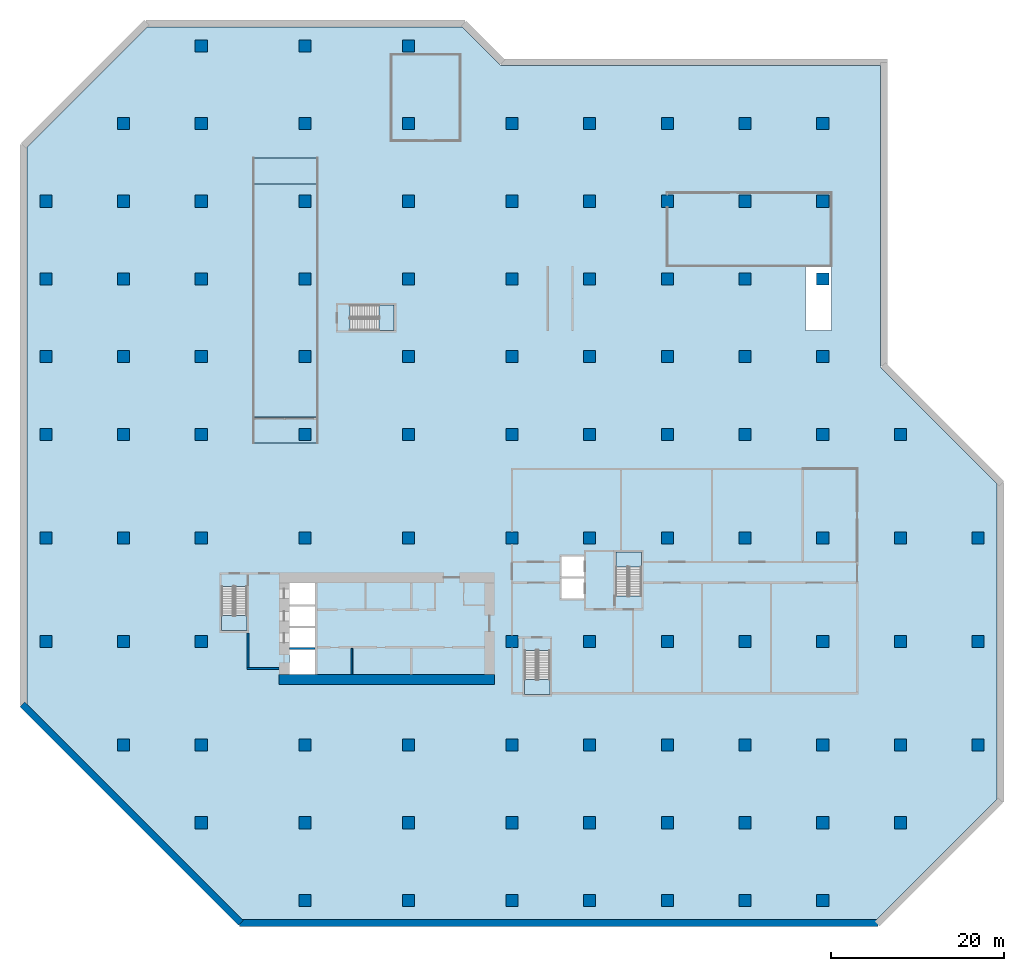
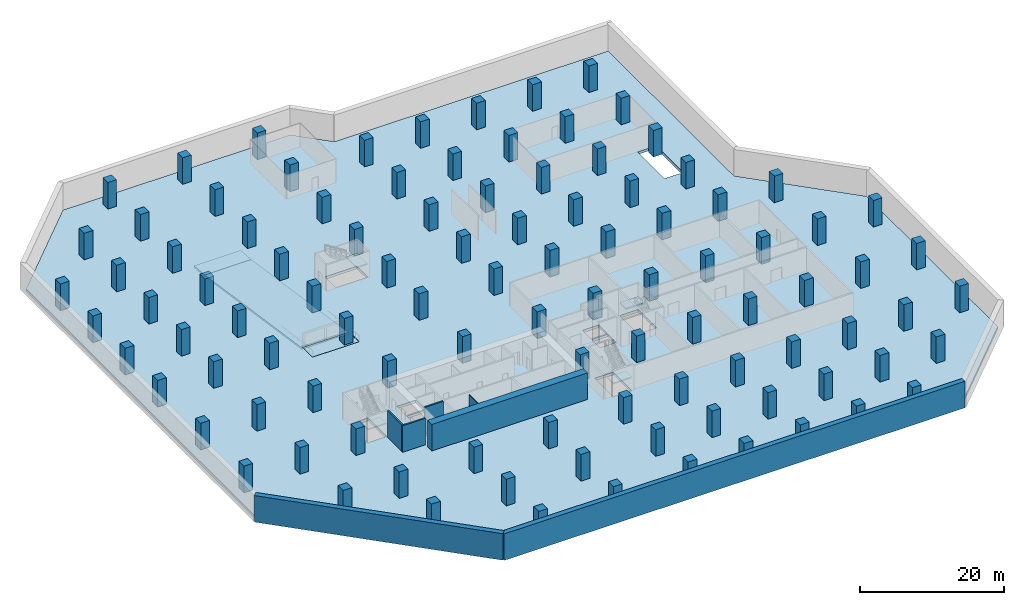
# One storey, part 1 of 10: 102 columns, 8 slabs, 7 walls, 4 elements without a shape of their own.
"""IFC4 building model written with IfcOpenShell, lengths in metres."""

from ifc_helpers import new_model, si_unit, direction, frame, frame_2d, origin, origin_2d, place, context, subcontext, project, spatial, polyline, rectangle, outline, extrude, material, layer, layer_set, material_profile, profile_set, type_object, element, aggregate, save


model = new_model("IFC4")

# Units and contexts
model_context = context("Model", 3, precision=1e-05, world=origin(), true_north=direction((0.0, 1.0)))
body_context = subcontext(model_context, "Body", "Model", "MODEL_VIEW")
ifc_project = project(units=[si_unit("LENGTHUNIT", "METRE"), si_unit("AREAUNIT", "SQUARE_METRE"), si_unit("VOLUMEUNIT", "CUBIC_METRE"), si_unit("PLANEANGLEUNIT", "RADIAN"), si_unit("MASSUNIT", "GRAM", prefix="KILO")], contexts=[model_context])

# Site, building, storey
site_placement = place(None, origin())
site = spatial("IfcSite", under=ifc_project, at=site_placement, CompositionType="ELEMENT")
building_placement = place(site_placement, origin())
building = spatial("IfcBuilding", under=site, at=building_placement, Name="Chenar Terraces", CompositionType="ELEMENT")
storey_placement = place(building_placement, frame((0.0, 0.0, -9.0)))
storey = spatial("IfcBuildingStorey", under=building, at=storey_placement, Name="B2", CompositionType="ELEMENT", Elevation=-9.0)

# Columns
ifc_material_1 = material(Name="Concrete C60/75", Category="concrete")
ifc_material_profile = material_profile(ifc_material_1, rectangle(XDim=1.39990234375, YDim=1.39990234375, at=origin_2d()), Name="C 1400 x 1400")
ifc_profile_set = profile_set([ifc_material_profile], Name="Concrete C60/75")
column_type = type_object("IfcColumnType", Name="Column C 1400 x 1400 Concrete C60/75", PredefinedType="COLUMN", material=ifc_profile_set)
for number, where, z_axis, x_axis, name in (
    (1, (-18.0, 12.0, 0.0), (0.0, 0.0, 1.0), (1.0, 0.0, 0.0), "Column 3/F B2"),
    (2, (-18.0, 24.0, 0.0), (0.0, 0.0, 1.0), (1.0, 0.0, 0.0), "Column 3/G B2"),
    (3, (-18.0, 36.0, 0.0), (0.0, 0.0, 1.0), (1.0, 0.0, 0.0), "Column 3/H B2"),
    (4, (-18.0, 45.0, 0.0), (0.0, 0.0, 1.0), (1.0, 0.0, 0.0), "Column 3/J B2"),
    (5, (-18.0, 54.0, 0.0), (0.0, 0.0, 1.0), (1.0, 0.0, 0.0), "Column 3/K B2"),
    (6, (-18.0, 63.0, 0.0), (0.0, 0.0, 1.0), (1.0, 0.0, 0.0), "Column 3/L B2"),
    (7, (-9.0, 0.0, 0.0), (0.0, 0.0, 1.0), (1.0, 0.0, 0.0), "Column 4/E B2"),
    (8, (-9.0, 12.0, 0.0), (0.0, 0.0, 1.0), (1.0, 0.0, 0.0), "Column 4/F B2"),
    (9, (-9.0, 24.0, 0.0), (0.0, 0.0, 1.0), (1.0, 0.0, 0.0), "Column 4/G B2"),
    (10, (-9.0, 36.0, 0.0), (0.0, 0.0, 1.0), (1.0, 0.0, 0.0), "Column 4/H B2"),
    (11, (-9.0, 45.0, 0.0), (0.0, 0.0, 1.0), (1.0, 0.0, 0.0), "Column 4/J B2"),
    (12, (-9.0, 54.0, 0.0), (0.0, 0.0, 1.0), (1.0, 0.0, 0.0), "Column 4/K B2"),
    (13, (-9.0, 63.0, 0.0), (0.0, 0.0, 1.0), (1.0, 0.0, 0.0), "Column 4/L B2"),
    (14, (-9.0, 72.0, 0.0), (0.0, 0.0, 1.0), (1.0, 0.0, 0.0), "Column 4/M B2"),
    (15, (0.0, -9.0, 0.0), (0.0, 0.0, 1.0), (1.0, 0.0, 0.0), "Column 5/D B2"),
    (16, (0.0, 0.0, 0.0), (0.0, 0.0, 1.0), (1.0, 0.0, 0.0), "Column 5/E B2"),
    (17, (0.0, 12.0, 0.0), (0.0, 0.0, 1.0), (1.0, 0.0, 0.0), "Column 5/F B2"),
    (18, (0.0, 24.0, 0.0), (0.0, 0.0, 1.0), (1.0, 0.0, 0.0), "Column 5/G B2"),
    (19, (0.0, 36.0, 0.0), (0.0, 0.0, 1.0), (1.0, 0.0, 0.0), "Column 5/H B2"),
    (20, (0.0, 45.0, 0.0), (0.0, 0.0, 1.0), (1.0, 0.0, 0.0), "Column 5/J B2"),
    (21, (0.0, 54.0, 0.0), (0.0, 0.0, 1.0), (1.0, 0.0, 0.0), "Column 5/K B2"),
    (22, (0.0, 63.0, 0.0), (0.0, 0.0, 1.0), (1.0, 0.0, 0.0), "Column 5/L B2"),
    (23, (0.0, 72.0, 0.0), (0.0, 0.0, 1.0), (1.0, 0.0, 0.0), "Column 5/M B2"),
    (24, (0.0, 81.0, 0.0), (0.0, 0.0, 1.0), (1.0, 0.0, 0.0), "Column 5/N B2"),
    (25, (12.0, -18.0, 0.0), (0.0, 0.0, 1.0), (1.0, 0.0, 0.0), "Column 6/C B2"),
    (26, (12.0, -9.0, 0.0), (0.0, 0.0, 1.0), (1.0, 0.0, 0.0), "Column 6/D B2"),
    (27, (12.0, 0.0, 0.0), (0.0, 0.0, 1.0), (1.0, 0.0, 0.0), "Column 6/E B2"),
    (28, (12.0, 24.0, 0.0), (0.0, 0.0, 1.0), (1.0, 0.0, 0.0), "Column 6/G B2"),
    (29, (12.0, 36.0, 0.0), (0.0, 0.0, 1.0), (1.0, 0.0, 0.0), "Column 6/H B2"),
    (30, (12.0, 45.0, 0.0), (0.0, 0.0, 1.0), (1.0, 0.0, 0.0), "Column 6/J B2"),
    (31, (12.0, 54.0, 0.0), (0.0, 0.0, 1.0), (1.0, 0.0, 0.0), "Column 6/K B2"),
    (32, (12.0, 63.0, 0.0), (0.0, 0.0, 1.0), (1.0, 0.0, 0.0), "Column 6/L B2"),
    (33, (12.0, 72.0, 0.0), (0.0, 0.0, 1.0), (1.0, 0.0, 0.0), "Column 6/M B2"),
    (34, (12.0, 81.0, 0.0), (0.0, 0.0, 1.0), (1.0, 0.0, 0.0), "Column 6/N B2"),
    (35, (24.0, -18.0, 0.0), (0.0, 0.0, 1.0), (1.0, 0.0, 0.0), "Column 7/C B2"),
    (36, (24.0, -9.0, 0.0), (0.0, 0.0, 1.0), (1.0, 0.0, 0.0), "Column 7/D B2"),
    (37, (24.0, 0.0, 0.0), (0.0, 0.0, 1.0), (1.0, 0.0, 0.0), "Column 7/E B2"),
    (38, (24.0, 24.0, 0.0), (0.0, 0.0, 1.0), (1.0, 0.0, 0.0), "Column 7/G B2"),
    (39, (24.0, 36.0, 0.0), (0.0, 0.0, 1.0), (1.0, 0.0, 0.0), "Column 7/H B2"),
    (40, (24.0, 45.0, 0.0), (0.0, 0.0, 1.0), (1.0, 0.0, 0.0), "Column 7/J B2"),
    (41, (24.0, 54.0, 0.0), (0.0, 0.0, 1.0), (1.0, 0.0, 0.0), "Column 7/K B2"),
    (42, (24.0, 63.0, 0.0), (0.0, 0.0, 1.0), (1.0, 0.0, 0.0), "Column 7/L B2"),
    (43, (24.0, 72.0, 0.0), (0.0, 0.0, 1.0), (1.0, 0.0, 0.0), "Column 7/M B2"),
    (44, (24.0, 81.0, 0.0), (0.0, 0.0, 1.0), (1.0, 0.0, 0.0), "Column 7/N B2"),
    (45, (36.0, -18.0, 0.0), (0.0, 0.0, 1.0), (1.0, 0.0, 0.0), "Column 8/C B2"),
    (46, (36.0, -9.0, 0.0), (0.0, 0.0, 1.0), (1.0, 0.0, 0.0), "Column 8/D B2"),
    (47, (36.0, 0.0, 0.0), (0.0, 0.0, 1.0), (1.0, 0.0, 0.0), "Column 8/E B2"),
    (48, (36.0, 12.0, 0.0), (0.0, 0.0, 1.0), (1.0, 0.0, 0.0), "Column 8/F B2"),
    (49, (36.0, 24.0, 0.0), (0.0, 0.0, 1.0), (1.0, 0.0, 0.0), "Column 8/G B2"),
    (50, (36.0, 36.0, 0.0), (0.0, 0.0, 1.0), (1.0, 0.0, 0.0), "Column 8/H B2"),
    (51, (36.0, 45.0, 0.0), (0.0, 0.0, 1.0), (1.0, 0.0, 0.0), "Column 8/J B2"),
    (52, (36.0, 54.0, 0.0), (0.0, 0.0, 1.0), (1.0, 0.0, 0.0), "Column 8/K B2"),
    (53, (36.0, 63.0, 0.0), (0.0, 0.0, 1.0), (1.0, 0.0, 0.0), "Column 8/L B2"),
    (54, (36.0, 72.0, 0.0), (0.0, 0.0, 1.0), (1.0, 0.0, 0.0), "Column 8/M B2"),
    (55, (45.0, -18.0, 0.0), (0.0, 0.0, 1.0), (1.0, 0.0, 0.0), "Column 9/C B2"),
    (56, (45.0, -9.0, 0.0), (0.0, 0.0, 1.0), (1.0, 0.0, 0.0), "Column 9/D B2"),
    (57, (45.0, 0.0, 0.0), (0.0, 0.0, 1.0), (1.0, 0.0, 0.0), "Column 9/E B2"),
    (58, (45.0, 12.0, 0.0), (0.0, 0.0, 1.0), (1.0, 0.0, 0.0), "Column 9/F B2"),
    (59, (45.0, 24.0, 0.0), (0.0, 0.0, 1.0), (1.0, 0.0, 0.0), "Column 9/G B2"),
    (60, (45.0, 36.0, 0.0), (0.0, 0.0, 1.0), (1.0, 0.0, 0.0), "Column 9/H B2"),
    (61, (45.0, 45.0, 0.0), (0.0, 0.0, 1.0), (1.0, 0.0, 0.0), "Column 9/J B2"),
    (62, (45.0, 54.0, 0.0), (0.0, 0.0, 1.0), (1.0, 0.0, 0.0), "Column 9/K B2"),
    (63, (45.0, 63.0, 0.0), (0.0, 0.0, 1.0), (1.0, 0.0, 0.0), "Column 9/L B2"),
    (64, (45.0, 72.0, 0.0), (0.0, 0.0, 1.0), (1.0, 0.0, 0.0), "Column 9/M B2"),
    (65, (54.0, -18.0, 0.0), (0.0, 0.0, 1.0), (1.0, 0.0, 0.0), "Column 10/C B2"),
    (66, (54.0, -9.0, 0.0), (0.0, 0.0, 1.0), (1.0, 0.0, 0.0), "Column 10/D B2"),
    (67, (54.0, 0.0, 0.0), (0.0, 0.0, 1.0), (1.0, 0.0, 0.0), "Column 10/E B2"),
    (68, (54.0, 12.0, 0.0), (0.0, 0.0, 1.0), (1.0, 0.0, 0.0), "Column 10/F B2"),
    (69, (54.0, 24.0, 0.0), (0.0, 0.0, 1.0), (1.0, 0.0, 0.0), "Column 10/G B2"),
    (70, (54.0, 36.0, 0.0), (0.0, 0.0, 1.0), (1.0, 0.0, 0.0), "Column 10/H B2"),
    (71, (54.0, 45.0, 0.0), (0.0, 0.0, 1.0), (1.0, 0.0, 0.0), "Column 10/J B2"),
    (72, (54.0, 54.0, 0.0), (0.0, 0.0, 1.0), (1.0, 0.0, 0.0), "Column 10/K B2"),
    (73, (54.0, 63.0, 0.0), (0.0, 0.0, 1.0), (1.0, 0.0, 0.0), "Column 10/L B2"),
    (74, (54.0, 72.0, 0.0), (0.0, 0.0, 1.0), (1.0, 0.0, 0.0), "Column 10/M B2"),
    (75, (63.0, -18.0, 0.0), (0.0, 0.0, 1.0), (1.0, 0.0, 0.0), "Column 11/C B2"),
    (76, (63.0, -9.0, 0.0), (0.0, 0.0, 1.0), (1.0, 0.0, 0.0), "Column 11/D B2"),
    (77, (63.0, 0.0, 0.0), (0.0, 0.0, 1.0), (1.0, 0.0, 0.0), "Column 11/E B2"),
    (78, (63.0, 12.0, 0.0), (0.0, 0.0, 1.0), (1.0, 0.0, 0.0), "Column 11/F B2"),
    (79, (63.0, 24.0, 0.0), (0.0, 0.0, 1.0), (1.0, 0.0, 0.0), "Column 11/G B2"),
    (80, (63.0, 36.0, 0.0), (0.0, 0.0, 1.0), (1.0, 0.0, 0.0), "Column 11/H B2"),
    (81, (63.0, 45.0, 0.0), (0.0, 0.0, 1.0), (1.0, 0.0, 0.0), "Column 11/J B2"),
    (82, (63.0, 54.0, 0.0), (0.0, 0.0, 1.0), (1.0, 0.0, 0.0), "Column 11/K B2"),
    (83, (63.0, 63.0, 0.0), (0.0, 0.0, 1.0), (1.0, 0.0, 0.0), "Column 11/L B2"),
    (84, (63.0, 72.0, 0.0), (0.0, 0.0, 1.0), (1.0, 0.0, 0.0), "Column 11/M B2"),
    (85, (72.0, -18.0, 0.0), (0.0, 0.0, 1.0), (1.0, 0.0, 0.0), "Column 12/C B2"),
    (86, (72.0, -9.0, 0.0), (0.0, 0.0, 1.0), (1.0, 0.0, 0.0), "Column 12/D B2"),
    (87, (72.0, 0.0, 0.0), (0.0, 0.0, 1.0), (1.0, 0.0, 0.0), "Column 12/E B2"),
    (88, (72.0, 12.0, 0.0), (0.0, 0.0, 1.0), (1.0, 0.0, 0.0), "Column 12/F B2"),
    (89, (72.0, 24.0, 0.0), (0.0, 0.0, 1.0), (1.0, 0.0, 0.0), "Column 12/G B2"),
    (90, (72.0, 36.0, 0.0), (0.0, 0.0, 1.0), (1.0, 0.0, 0.0), "Column 12/H B2"),
    (91, (72.0, 45.0, 0.0), (0.0, 0.0, 1.0), (1.0, 0.0, 0.0), "Column 12/J B2"),
    (92, (72.0, 54.0, 0.0), (0.0, 0.0, 1.0), (1.0, 0.0, 0.0), "Column 12/K B2"),
    (93, (72.0, 63.0, 0.0), (0.0, 0.0, 1.0), (1.0, 0.0, 0.0), "Column 12/L B2"),
    (94, (72.0, 72.0, 0.0), (0.0, 0.0, 1.0), (1.0, 0.0, 0.0), "Column 12/M B2"),
    (95, (81.0, -9.0, 0.0), (0.0, 0.0, 1.0), (1.0, 0.0, 0.0), "Column 13/D B2"),
    (96, (81.0, 0.0, 0.0), (0.0, 0.0, 1.0), (1.0, 0.0, 0.0), "Column 13/E B2"),
    (97, (81.0, 12.0, 0.0), (0.0, 0.0, 1.0), (1.0, 0.0, 0.0), "Column 13/F B2"),
    (98, (81.0, 24.0, 0.0), (0.0, 0.0, 1.0), (1.0, 0.0, 0.0), "Column 13/G B2"),
    (99, (81.0, 36.0, 0.0), (0.0, 0.0, 1.0), (1.0, 0.0, 0.0), "Column 13/H B2"),
    (100, (90.0, 0.0, 0.0), (0.0, 0.0, 1.0), (1.0, 0.0, 0.0), "Column 14/E B2"),
    (101, (90.0, 12.0, 0.0), (0.0, 0.0, 1.0), (1.0, 0.0, 0.0), "Column 14/F B2"),
    (102, (90.0, 24.0, 0.0), (0.0, 0.0, 1.0), (1.0, 0.0, 0.0), "Column 14/G B2"),
):
    element("IfcColumn", number, at=place(storey_placement, frame(where, z_axis=z_axis, x_axis=x_axis)), inside=storey, type_object=column_type, Name=name, PredefinedType="COLUMN", context=body_context, shape_type="SweptSolid", body=[
        extrude(rectangle(XDim=1.39990234375, YDim=1.39990234375, at=origin_2d()), origin(), (0.0, 0.0, 1.0), 4.5),
    ])

# Slabs
ifc_material_2 = material(Name="Reinforced concrete C40/50", Category="concrete")
ifc_layer_1 = layer(ifc_material_2, 0.300048828125)
ifc_layer_set_1 = layer_set([ifc_layer_1], Name="Reinforced concrete C40/50")
slab_type_1 = type_object("IfcSlabType", Name="Car ramp slab 7500 x 300", PredefinedType="USERDEFINED", material=ifc_layer_set_1)
slab_1_placement = place(storey_placement, frame((6.0, 35.0, 0.0), z_axis=(0.0, 0.083045479854, 0.996545758245), x_axis=(0.0, 0.996545758245, -0.083045479854)))
element("IfcSlab", 103, at=slab_1_placement, inside=storey, type_object=slab_type_1, Name="R3 vehicle ramp slab 1 (top)", ObjectType="Vehicle ramp slab", PredefinedType="USERDEFINED", context=body_context, shape_type="SweptSolid", body=[
    extrude(outline(polyline([(0.0, 0.0), (3.010398644698074, 0.0), (3.010398644698074, -7.5), (0.0, -7.5), (0.0, 0.0)])), origin(), (0.083045479854, 0.0, -0.996545758245), 0.301025390625),
])
slab_2_placement = place(storey_placement, frame((6.0, 38.0, -0.25), z_axis=(0.0, 0.146548661089, 0.989203462354), x_axis=(0.0, 0.989203462354, -0.146548661089)))
element("IfcSlab", 104, at=slab_2_placement, inside=storey, type_object=slab_type_1, Name="R3 vehicle ramp slab 2 (main)", ObjectType="Vehicle ramp slab", PredefinedType="USERDEFINED", context=body_context, shape_type="SweptSolid", body=[
    extrude(outline(polyline([(0.0, 0.0), (27.294688127912362, 0.0), (27.294688127912362, -7.5), (0.0, -7.5), (0.0, 0.0)])), origin(), (0.146548661089, 0.0, -0.989203462354), 0.30322265625),
])
slab_3_placement = place(storey_placement, frame((6.0, 65.0, -4.25), z_axis=(0.0, 0.083045479854, 0.996545758245), x_axis=(0.0, 0.996545758245, -0.083045479854)))
element("IfcSlab", 105, at=slab_3_placement, inside=storey, type_object=slab_type_1, Name="R3 vehicle ramp slab 3 (bottom)", ObjectType="Vehicle ramp slab", PredefinedType="USERDEFINED", context=body_context, shape_type="SweptSolid", body=[
    extrude(outline(polyline([(0.0, 0.0), (3.010398644698074, 0.0), (3.010398644698074, -7.5), (0.0, -7.5), (0.0, 0.0)])), origin(), (0.083045479854, 0.0, -0.996545758245), 0.301025390625),
])

# Stair, slab
ifc_material_3 = material(Name="Reinforced concrete C40/50", Category="concrete")
stair_type = type_object("IfcStairType", Name="Core stair 1400 half-turn", PredefinedType="HALF_TURN_STAIR", material=ifc_material_3)
placement_1 = place(storey_placement, origin())
stair_1 = element("IfcStair", 106, at=placement_1, inside=storey, type_object=stair_type, Name="B2 Stair 1", PredefinedType="HALF_TURN_STAIR")
ifc_material_4 = material(Name="Reinforced concrete C40/50", Category="concrete")
ifc_layer_2 = layer(ifc_material_4, 0.199951171875)
ifc_layer_set_2 = layer_set([ifc_layer_2], Name="Reinforced concrete C40/50")
slab_type_2 = type_object("IfcSlabType", Name="Core stair landing 200", PredefinedType="LANDING", material=ifc_layer_set_2)
placement_2 = place(storey_placement, frame((0.0, 0.0, 2.050048828125)))
slab_4 = element("IfcSlab", 107, at=placement_2, type_object=slab_type_2, Name="ST1 landing 1", PredefinedType="LANDING", context=body_context, shape_type="SweptSolid", body=[
    extrude(outline(polyline([(2.35009765625, 14.989990234375), (2.35009765625, 13.25), (5.300048828125, 13.25), (5.300048828125, 14.989990234375), (2.35009765625, 14.989990234375)])), origin(), (0.0, 0.0, 1.0), 0.199951171875),
])
aggregate(stair_1, [slab_4])

stair_2 = element("IfcStair", 108, at=placement_1, inside=storey, type_object=stair_type, Name="B2 Stair 2", PredefinedType="HALF_TURN_STAIR")
slab_5 = element("IfcSlab", 109, at=placement_2, type_object=slab_type_2, Name="ST2 landing 1", PredefinedType="LANDING", context=body_context, shape_type="SweptSolid", body=[
    extrude(outline(polyline([(37.449951171875, 7.590087890625), (37.449951171875, 5.85009765625), (40.39990234375, 5.85009765625), (40.39990234375, 7.590087890625), (37.449951171875, 7.590087890625)])), origin(), (0.0, 0.0, 1.0), 0.199951171875),
])
aggregate(stair_2, [slab_5])

stair_3 = element("IfcStair", 110, at=placement_1, inside=storey, type_object=stair_type, Name="B2 Stair 3", PredefinedType="HALF_TURN_STAIR")
slab_6 = element("IfcSlab", 111, at=placement_2, type_object=slab_type_2, Name="ST3 landing 1", PredefinedType="LANDING", context=body_context, shape_type="SweptSolid", body=[
    extrude(outline(polyline([(50.97509765625, 20.610107421875), (50.97509765625, 22.35009765625), (48.02490234375, 22.35009765625), (48.02490234375, 20.610107421875), (50.97509765625, 20.610107421875)])), origin(), (0.0, 0.0, 1.0), 0.199951171875),
])
aggregate(stair_3, [slab_6])

stair_4 = element("IfcStair", 112, at=placement_1, inside=storey, type_object=stair_type, Name="B2 Stair 4", PredefinedType="HALF_TURN_STAIR")
slab_7 = element("IfcSlab", 113, at=placement_2, type_object=slab_type_2, Name="ST4 landing 1", PredefinedType="LANDING", context=body_context, shape_type="SweptSolid", body=[
    extrude(outline(polyline([(20.610107421875, 48.02490234375), (22.35009765625, 48.02490234375), (22.35009765625, 50.97509765625), (20.610107421875, 50.97509765625), (20.610107421875, 48.02490234375)])), origin(), (0.0, 0.0, 1.0), 0.199951171875),
])
aggregate(stair_4, [slab_7])

# Slab
ifc_material_5 = material(Name="Concrete C40/50", Category="concrete")
ifc_layer_3 = layer(ifc_material_5, 0.449951171875)
ifc_layer_set_3 = layer_set([ifc_layer_3], Name="Concrete C40/50")
slab_type_3 = type_object("IfcSlabType", Name="Floor slab 450 Concrete C40/50", PredefinedType="FLOOR", material=ifc_layer_set_3)
slab_8_placement = place(storey_placement, frame((0.0, 0.0, -0.449951171875)))
element("IfcSlab", 114, at=slab_8_placement, inside=storey, type_object=slab_type_3, Name="Floor slab B2", PredefinedType="FLOOR", context=body_context, shape_type="SweptSolid", body=[
    extrude(outline(polyline([(78.699951171875, 78.699951171875), (78.699951171875, 43.745849609375), (92.199951171875, 30.245849609375), (92.199951171875, -6.245849609375), (78.245849609375, -20.199951171875), (4.754150390625, -20.199951171875), (-20.199951171875, 4.754150390625), (-20.199951171875, 69.245849609375), (-6.245849609375, 83.199951171875), (30.245849609375, 83.199951171875), (34.745849609375, 78.699951171875), (78.699951171875, 78.699951171875)]), holes=[polyline([(10.199951171875, 11.050048828125), (10.199951171875, 8.199951171875), (13.199951171875, 8.199951171875), (13.199951171875, 11.050048828125), (10.199951171875, 11.050048828125)]), polyline([(13.199951171875, 13.550048828125), (10.199951171875, 13.550048828125), (10.199951171875, 11.300048828125), (13.199951171875, 11.300048828125), (13.199951171875, 13.550048828125)]), polyline([(13.199951171875, 16.050048828125), (10.199951171875, 16.050048828125), (10.199951171875, 13.800048828125), (13.199951171875, 13.800048828125), (13.199951171875, 16.050048828125)]), polyline([(5.300048828125, 13.25), (5.300048828125, 18.35009765625), (2.35009765625, 18.35009765625), (2.35009765625, 13.25), (5.300048828125, 13.25)]), polyline([(13.199951171875, 18.800048828125), (10.199951171875, 18.800048828125), (10.199951171875, 16.300048828125), (13.199951171875, 16.300048828125), (13.199951171875, 18.800048828125)]), polyline([(13.5, 38.0), (6.0, 38.0), (6.0, 35.0), (13.5, 35.0), (13.5, 38.0)]), polyline([(40.39990234375, 5.85009765625), (40.39990234375, 10.949951171875), (37.449951171875, 10.949951171875), (37.449951171875, 5.85009765625), (40.39990234375, 5.85009765625)]), polyline([(44.35009765625, 19.300048828125), (41.75, 19.300048828125), (41.75, 17.0), (44.35009765625, 17.0), (44.35009765625, 19.300048828125)]), polyline([(50.97509765625, 22.35009765625), (48.02490234375, 22.35009765625), (48.02490234375, 17.25), (50.97509765625, 17.25), (50.97509765625, 22.35009765625)]), polyline([(41.75, 21.85009765625), (41.75, 19.550048828125), (44.35009765625, 19.550048828125), (44.35009765625, 21.85009765625), (41.75, 21.85009765625)]), polyline([(22.35009765625, 48.02490234375), (22.35009765625, 50.97509765625), (17.25, 50.97509765625), (17.25, 48.02490234375), (22.35009765625, 48.02490234375)]), polyline([(73.0, 55.5), (70.0, 55.5), (70.0, 48.0), (73.0, 48.0), (73.0, 55.5)])]), origin(), (0.0, 0.0, 1.0), 0.449951171875),
])

# Walls
ifc_material_6 = material(Name="Gypsum board on steel studs", Category="steel")
ifc_layer_4 = layer(ifc_material_6, 0.14990234375)
ifc_layer_set_4 = layer_set([ifc_layer_4], Name="Gypsum board on steel studs")
wall_type_1 = type_object("IfcWallType", Name="Core partition 150 gypsum board", PredefinedType="PARTITIONING", material=ifc_layer_set_4)
wall_1_placement = place(storey_placement, frame((17.449951171875, 8.199951171875, 0.0), z_axis=(0.0, 0.0, 1.0), x_axis=(0.0, 1.0, 0.0)))
element("IfcWall", 115, at=wall_1_placement, inside=storey, type_object=wall_type_1, Name="Core partition CP1 freed bay wall", PredefinedType="PARTITIONING", context=body_context, shape_type="SweptSolid", body=[
    extrude(rectangle(XDim=3.0, YDim=0.14990234375, at=frame_2d((1.5, 0.0))), origin(), (0.0, 0.0, 1.0), 4.050048828125),
])
ifc_material_7 = material(Name="Concrete C70/85", Category="concrete")
ifc_layer_5 = layer(ifc_material_7, 1.199951171875)
ifc_layer_set_5 = layer_set([ifc_layer_5], Name="Concrete C70/85")
wall_type_2 = type_object("IfcWallType", Name="Core wall 1200 Concrete C70/85", PredefinedType="SHEAR", material=ifc_layer_set_5)
wall_2_placement = place(storey_placement, frame((9.0, 7.60009765625, 0.0), z_axis=(0.0, 0.0, 1.0), x_axis=(1.0, 0.0, 0.0)))
element("IfcWall", 116, at=wall_2_placement, inside=storey, type_object=wall_type_2, Name="Core wall S B2", PredefinedType="SHEAR", context=body_context, shape_type="SweptSolid", body=[
    extrude(rectangle(XDim=25.0, YDim=1.199951171875, at=frame_2d((12.5, 0.0))), origin(), (0.0, 0.0, 1.0), 4.5),
])
ifc_material_8 = material(Name="Concrete C70/85", Category="concrete")
ifc_layer_6 = layer(ifc_material_8, 0.25)
ifc_layer_set_6 = layer_set([ifc_layer_6], Name="Concrete C70/85")
wall_type_3 = type_object("IfcWallType", Name="Core wall 250 Concrete C70/85", PredefinedType="SHEAR", material=ifc_layer_set_6)
wall_3_placement = place(storey_placement, frame((10.199951171875, 11.175048828125, 0.0), z_axis=(0.0, 0.0, 1.0), x_axis=(1.0, 0.0, 0.0)))
element("IfcWall", 117, at=wall_3_placement, inside=storey, type_object=wall_type_3, Name="Core wall HW0 B2", PredefinedType="SHEAR", context=body_context, shape_type="SweptSolid", body=[
    extrude(rectangle(XDim=3.0, YDim=0.25, at=frame_2d((1.5, 0.0))), origin(), (0.0, 0.0, 1.0), 4.5),
])
wall_4_placement = place(storey_placement, frame((5.300048828125, 8.875, 0.0), z_axis=(0.0, 0.0, 1.0), x_axis=(1.0, 0.0, 0.0)))
element("IfcWall", 118, at=wall_4_placement, inside=storey, type_object=wall_type_3, Name="Core wall FFL_S B2", PredefinedType="SHEAR", context=body_context, shape_type="SweptSolid", body=[
    extrude(rectangle(XDim=3.699951171875, YDim=0.25, at=frame_2d((1.85009765625, 0.0))), origin(), (0.0, 0.0, 1.0), 4.5),
])
wall_5_placement = place(storey_placement, frame((5.425048828125, 9.0, 0.0), z_axis=(0.0, 0.0, 1.0), x_axis=(0.0, 1.0, 0.0)))
element("IfcWall", 119, at=wall_5_placement, inside=storey, type_object=wall_type_3, Name="Core wall FFL_W B2", PredefinedType="SHEAR", context=body_context, shape_type="SweptSolid", body=[
    extrude(rectangle(XDim=4.0, YDim=0.25, at=frame_2d((2.0, 0.0))), origin(), (0.0, 0.0, 1.0), 4.5),
])
ifc_material_9 = material(Name="Concrete C40/50", Category="concrete")
ifc_layer_7 = layer(ifc_material_9, 0.800048828125)
ifc_layer_set_7 = layer_set([ifc_layer_7], Name="Concrete C40/50")
wall_type_4 = type_object("IfcWallType", Name="Diaphragm wall 800 Concrete C40/50", PredefinedType="SOLIDWALL", material=ifc_layer_set_7)
wall_6_placement = place(storey_placement, frame((-20.71728515625, 4.705810546875, 0.0), z_axis=(0.0, 0.0, 1.0), x_axis=(0.707103370229, -0.707110192127, 0.0)))
element("IfcWall", 120, at=wall_6_placement, inside=storey, type_object=wall_type_4, Name="Diaphragm wall B2 5", PredefinedType="SOLIDWALL", context=body_context, shape_type="SweptSolid", body=[
    extrude(rectangle(XDim=35.787841796875, YDim=0.800048828125, at=frame_2d((17.89404296875, 0.0))), origin(), (0.0, 0.0, 1.0), 4.5),
])
wall_7_placement = place(storey_placement, frame((4.4228515625, -20.60009765625, 0.0), z_axis=(0.0, 0.0, 1.0), x_axis=(1.0, 0.0, 0.0)))
element("IfcWall", 121, at=wall_7_placement, inside=storey, type_object=wall_type_4, Name="Diaphragm wall B2 6", PredefinedType="SOLIDWALL", context=body_context, shape_type="SweptSolid", body=[
    extrude(rectangle(XDim=73.98876953125, YDim=0.800048828125, at=frame_2d((36.994384765625, 0.0))), origin(), (0.0, 0.0, 1.0), 4.5),
])

save(model, "model.ifc")
